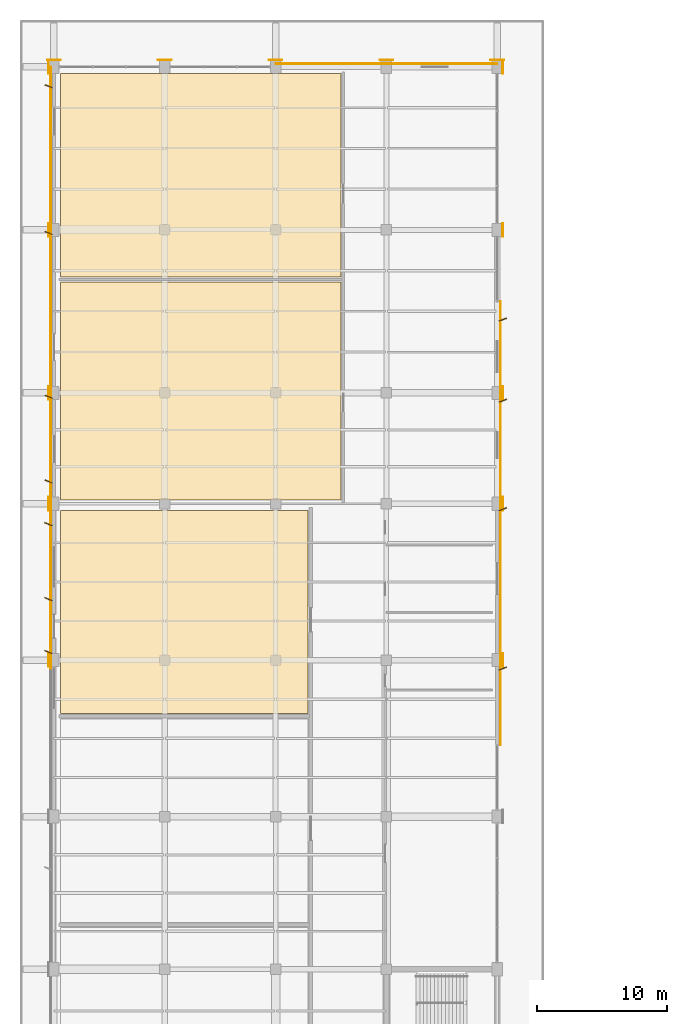
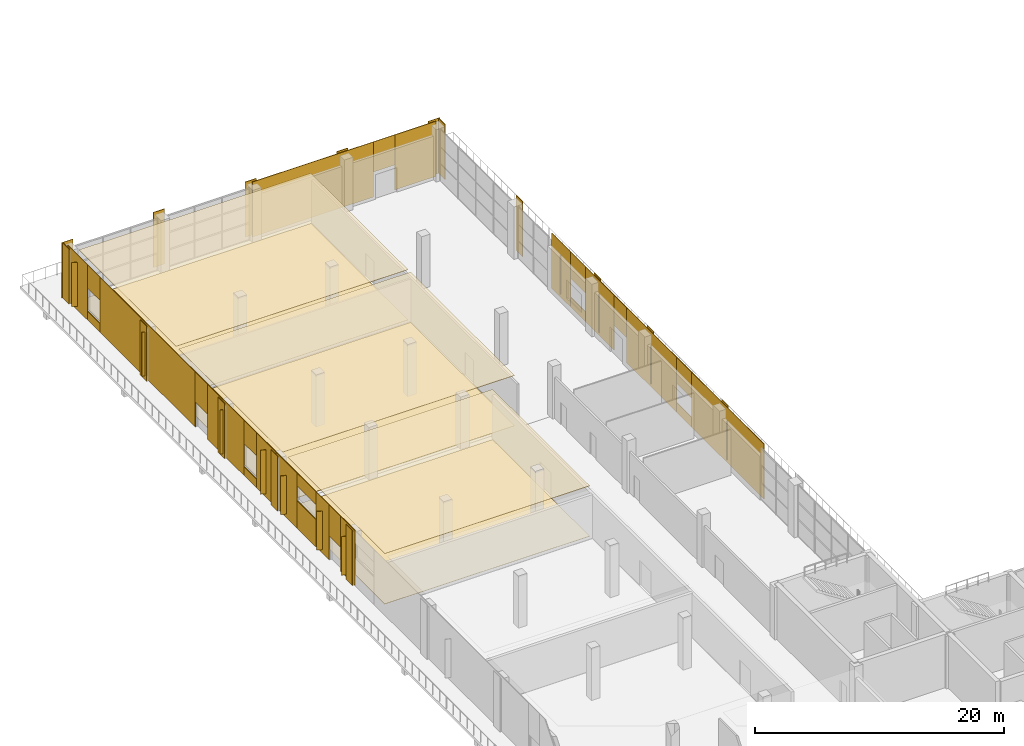
# One storey, part 83 of 90: 59 coverings.
"""IFC4 building model written with IfcOpenShell, lengths in metres."""

from ifc_helpers import new_model, si_unit, direction, frame, origin, origin_2d, place, context, subcontext, project, spatial, polyline, rectangle, outline, extrude, material, layer, layer_set, type_object, element, save


model = new_model("IFC4")

# Units and contexts
model_context = context("Model", 3, precision=1e-05, world=origin(), true_north=direction((0.0, 1.0)))
body_context = subcontext(model_context, "Body", "Model", "MODEL_VIEW")
ifc_project = project(units=[si_unit("LENGTHUNIT", "METRE"), si_unit("AREAUNIT", "SQUARE_METRE"), si_unit("VOLUMEUNIT", "CUBIC_METRE"), si_unit("PLANEANGLEUNIT", "RADIAN"), si_unit("MASSUNIT", "GRAM", prefix="KILO")], contexts=[model_context])

# Site, building, storey
site_placement = place(None, origin())
site = spatial("IfcSite", under=ifc_project, at=site_placement, CompositionType="ELEMENT")
building_placement = place(site_placement, origin())
building = spatial("IfcBuilding", under=site, at=building_placement, Name="Solvikara Media Centre", CompositionType="ELEMENT")
storey_placement = place(building_placement, origin())
storey = spatial("IfcBuildingStorey", under=building, at=storey_placement, Name="L00", CompositionType="ELEMENT", Elevation=0.0)

# Coverings
ifc_material_1 = material(Name="Perforated acoustic gypsum ceiling board")
ifc_layer_1 = layer(ifc_material_1, 0.0400390625)
ifc_layer_set_1 = layer_set([ifc_layer_1], Name="Perforated acoustic gypsum ceiling board")
covering_type_1 = type_object("IfcCoveringType", Name="CV-01", PredefinedType="CEILING", material=ifc_layer_set_1)
covering_1_placement = place(storey_placement, frame((0.0, 0.0, 4.929931640625)))
element("IfcCovering", 1, at=covering_1_placement, inside=storey, type_object=covering_type_1, Name="CLG-006", PredefinedType="CEILING", context=body_context, shape_type="SweptSolid", body=[
    extrude(outline(polyline([(0.5, 64.39990234375), (19.5, 64.39990234375), (19.5, 80.0), (0.5, 80.0), (0.5, 64.39990234375)])), origin(), (0.0, 0.0, 1.0), 0.0400390625),
])
covering_2_placement = place(storey_placement, frame((0.0, 0.0, 4.929931640625)))
element("IfcCovering", 2, at=covering_2_placement, inside=storey, type_object=covering_type_1, Name="CLG-007", PredefinedType="CEILING", context=body_context, shape_type="SweptSolid", body=[
    extrude(outline(polyline([(0.5, 80.800048828125), (22.0, 80.800048828125), (22.0, 97.5), (0.5, 97.5), (0.5, 80.800048828125)])), origin(), (0.0, 0.0, 1.0), 0.0400390625),
])
covering_3_placement = place(storey_placement, frame((0.0, 0.0, 4.929931640625)))
element("IfcCovering", 3, at=covering_3_placement, inside=storey, type_object=covering_type_1, Name="CLG-008", PredefinedType="CEILING", context=body_context, shape_type="SweptSolid", body=[
    extrude(outline(polyline([(0.5, 97.89990234375), (22.0, 97.89990234375), (22.0, 113.5), (0.5, 113.5), (0.5, 97.89990234375)])), origin(), (0.0, 0.0, 1.0), 0.0400390625),
])
ifc_material_2 = material(Name="Polished terrazzo floor finish")
ifc_layer_2 = layer(ifc_material_2, 0.030029296875)
ifc_layer_set_2 = layer_set([ifc_layer_2], Name="Polished terrazzo floor finish")
covering_type_2 = type_object("IfcCoveringType", Name="CV-02", PredefinedType="FLOORING", material=ifc_layer_set_2)
covering_4_placement = place(storey_placement, origin())
element("IfcCovering", 4, at=covering_4_placement, inside=storey, type_object=covering_type_2, Name="FLR-006", PredefinedType="FLOORING", context=body_context, shape_type="SweptSolid", body=[
    extrude(outline(polyline([(0.5, 64.39990234375), (19.5, 64.39990234375), (19.5, 80.0), (0.5, 80.0), (0.5, 64.39990234375)])), origin(), (0.0, 0.0, 1.0), 0.030029296875),
])
covering_5_placement = place(storey_placement, origin())
element("IfcCovering", 5, at=covering_5_placement, inside=storey, type_object=covering_type_2, Name="FLR-007", PredefinedType="FLOORING", context=body_context, shape_type="SweptSolid", body=[
    extrude(outline(polyline([(0.5, 80.800048828125), (22.0, 80.800048828125), (22.0, 97.5), (0.5, 97.5), (0.5, 80.800048828125)])), origin(), (0.0, 0.0, 1.0), 0.030029296875),
])
covering_6_placement = place(storey_placement, origin())
element("IfcCovering", 6, at=covering_6_placement, inside=storey, type_object=covering_type_2, Name="FLR-008", PredefinedType="FLOORING", context=body_context, shape_type="SweptSolid", body=[
    extrude(outline(polyline([(0.5, 97.89990234375), (22.0, 97.89990234375), (22.0, 113.5), (0.5, 113.5), (0.5, 97.89990234375)])), origin(), (0.0, 0.0, 1.0), 0.030029296875),
])
ifc_material_3 = material(Name="GFRC white mineral architectural rainscreen panel")
ifc_layer_3 = layer(ifc_material_3, 0.050048828125)
ifc_layer_set_3 = layer_set([ifc_layer_3], Name="GFRC white mineral architectural rainscreen panel")
covering_type_3 = type_object("IfcCoveringType", Name="CV-04", PredefinedType="CLADDING", material=ifc_layer_set_3)
for number, where, z_axis, x_axis, name in (
    (7, (-0.425048828125, 68.5, 0.0), (0.0, 0.0, 1.0), (0.0, -1.0, 0.0), "PIL-L00-025"),
    (8, (-0.425048828125, 80.5, 0.0), (0.0, 0.0, 1.0), (0.0, -1.0, 0.0), "PIL-L00-029"),
    (9, (-0.425048828125, 89.0, 0.0), (0.0, 0.0, 1.0), (0.0, -1.0, 0.0), "PIL-L00-033"),
    (10, (-0.425048828125, 101.5, 0.0), (0.0, 0.0, 1.0), (0.0, -1.0, 0.0), "PIL-L00-036"),
    (11, (-0.425048828125, 114.0, 0.0), (0.0, 0.0, 1.0), (0.0, -1.0, 0.0), "PIL-L00-040"),
    (12, (0.0, 114.52490234375, 0.0), (0.0, 0.0, 1.0), (-1.0, 0.0, 0.0), "PIL-L00-041"),
    (13, (8.5, 114.52490234375, 0.0), (0.0, 0.0, 1.0), (-1.0, 0.0, 0.0), "PIL-L00-051"),
    (14, (17.0, 114.52490234375, 0.0), (0.0, 0.0, 1.0), (-1.0, 0.0, 0.0), "PIL-L00-058"),
    (15, (25.5, 114.52490234375, 0.0), (0.0, 0.0, 1.0), (-1.0, 0.0, 0.0), "PIL-L00-065"),
    (16, (34.425048828125, 68.5, 0.0), (0.0, 0.0, 1.0), (0.0, 1.0, 0.0), "PIL-L00-073"),
    (17, (34.425048828125, 80.5, 0.0), (0.0, 0.0, 1.0), (0.0, 1.0, 0.0), "PIL-L00-077"),
    (18, (34.425048828125, 89.0, 0.0), (0.0, 0.0, 1.0), (0.0, 1.0, 0.0), "PIL-L00-081"),
    (19, (34.425048828125, 101.5, 0.0), (0.0, 0.0, 1.0), (0.0, 1.0, 0.0), "PIL-L00-084"),
    (20, (34.425048828125, 114.0, 0.0), (0.0, 0.0, 1.0), (0.0, 1.0, 0.0), "PIL-L00-088"),
    (21, (34.0, 114.52490234375, 0.0), (0.0, 0.0, 1.0), (-1.0, 0.0, 0.0), "PIL-L00-089"),
):
    element("IfcCovering", number, at=place(storey_placement, frame(where, z_axis=z_axis, x_axis=x_axis)), inside=storey, type_object=covering_type_3, Name=name, PredefinedType="CLADDING", context=body_context, shape_type="SweptSolid", body=[
        extrude(rectangle(XDim=1.0400390625, YDim=0.050048828125, at=origin_2d()), origin(), (0.0, 0.0, 1.0), 5.39990234375),
    ])
covering_7_placement = place(storey_placement, frame((-0.2451171875, 69.014892578125, 0.0), z_axis=(0.0, 0.0, 1.0), x_axis=(0.0, 1.0, 0.0)))
element("IfcCovering", 22, at=covering_7_placement, inside=storey, type_object=covering_type_3, Name="L00-V4W-CV-F05", PredefinedType="CLADDING", context=body_context, shape_type="SweptSolid", body=[
    extrude(rectangle(XDim=2.3701171875, YDim=0.050048828125, at=origin_2d()), origin(), (0.0, 0.0, 1.0), 5.39990234375),
])
covering_8_placement = place(storey_placement, frame((-0.425048828125, 69.125, 0.35009765625), z_axis=(0.0, 0.0, 1.0), x_axis=(-0.930749810713, 0.3656566557, 0.0)))
element("IfcCovering", 23, at=covering_8_placement, inside=storey, type_object=covering_type_3, Name="L00-V4W-FIN-05", PredefinedType="CLADDING", context=body_context, shape_type="SweptSolid", body=[
    extrude(rectangle(XDim=0.60205078125, YDim=0.050048828125, at=origin_2d()), origin(), (0.0, 0.0, 1.0), 3.780029296875),
])
covering_9_placement = place(storey_placement, frame((-0.2451171875, 71.10009765625, 2.35009765625), z_axis=(0.0, 0.0, 1.0), x_axis=(0.0, 1.0, 0.0)))
element("IfcCovering", 24, at=covering_9_placement, inside=storey, type_object=covering_type_3, Name="L00-V4W-CV-D06", PredefinedType="CLADDING", context=body_context, shape_type="SweptSolid", body=[
    extrude(rectangle(XDim=1.800048828125, YDim=0.050048828125, at=origin_2d()), origin(), (0.0, 0.0, 1.0), 3.050048828125),
])
covering_10_placement = place(storey_placement, frame((-0.2451171875, 73.074951171875, 0.0), z_axis=(0.0, 0.0, 1.0), x_axis=(0.0, 1.0, 0.0)))
element("IfcCovering", 25, at=covering_10_placement, inside=storey, type_object=covering_type_3, Name="L00-V4W-CV-F07", PredefinedType="CLADDING", context=body_context, shape_type="SweptSolid", body=[
    extrude(rectangle(XDim=2.14990234375, YDim=0.050048828125, at=origin_2d()), origin(), (0.0, 0.0, 1.0), 5.39990234375),
])
covering_11_placement = place(storey_placement, frame((-0.425048828125, 73.18505859375, 0.35009765625), z_axis=(0.0, 0.0, 1.0), x_axis=(-0.930749810713, 0.3656566557, 0.0)))
element("IfcCovering", 26, at=covering_11_placement, inside=storey, type_object=covering_type_3, Name="L00-V4W-FIN-07", PredefinedType="CLADDING", context=body_context, shape_type="SweptSolid", body=[
    extrude(rectangle(XDim=0.60205078125, YDim=0.050048828125, at=origin_2d()), origin(), (0.0, 0.0, 1.0), 3.780029296875),
])
covering_12_placement = place(storey_placement, frame((-0.2451171875, 75.64990234375, 0.0), z_axis=(0.0, 0.0, 1.0), x_axis=(0.0, 1.0, 0.0)))
element("IfcCovering", 27, at=covering_12_placement, inside=storey, type_object=covering_type_3, Name="L00-V4W-CV-S08", PredefinedType="CLADDING", context=body_context, shape_type="SweptSolid", body=[
    extrude(rectangle(XDim=3.0, YDim=0.050048828125, at=origin_2d()), origin(), (0.0, 0.0, 1.0), 2.68994140625),
])
covering_13_placement = place(storey_placement, frame((-0.2451171875, 75.64990234375, 4.14990234375), z_axis=(0.0, 0.0, 1.0), x_axis=(0.0, 1.0, 0.0)))
element("IfcCovering", 28, at=covering_13_placement, inside=storey, type_object=covering_type_3, Name="L00-V4W-CV-H08", PredefinedType="CLADDING", context=body_context, shape_type="SweptSolid", body=[
    extrude(rectangle(XDim=3.0, YDim=0.050048828125, at=origin_2d()), origin(), (0.0, 0.0, 1.0), 1.25),
])
covering_14_placement = place(storey_placement, frame((-0.2451171875, 78.824951171875, 0.0), z_axis=(0.0, 0.0, 1.0), x_axis=(0.0, 1.0, 0.0)))
element("IfcCovering", 29, at=covering_14_placement, inside=storey, type_object=covering_type_3, Name="L00-V4W-CV-F09", PredefinedType="CLADDING", context=body_context, shape_type="SweptSolid", body=[
    extrude(rectangle(XDim=3.35009765625, YDim=0.050048828125, at=origin_2d()), origin(), (0.0, 0.0, 1.0), 5.39990234375),
])
covering_15_placement = place(storey_placement, frame((-0.425048828125, 78.93505859375, 0.35009765625), z_axis=(0.0, 0.0, 1.0), x_axis=(-0.930749810713, 0.3656566557, 0.0)))
element("IfcCovering", 30, at=covering_15_placement, inside=storey, type_object=covering_type_3, Name="L00-V4W-FIN-09", PredefinedType="CLADDING", context=body_context, shape_type="SweptSolid", body=[
    extrude(rectangle(XDim=0.60205078125, YDim=0.050048828125, at=origin_2d()), origin(), (0.0, 0.0, 1.0), 3.780029296875),
])
covering_16_placement = place(storey_placement, frame((-0.2451171875, 82.093994140625, 0.0), z_axis=(0.0, 0.0, 1.0), x_axis=(0.0, 1.0, 0.0)))
element("IfcCovering", 31, at=covering_16_placement, inside=storey, type_object=covering_type_3, Name="L00-V3W-CV-F01", PredefinedType="CLADDING", context=body_context, shape_type="SweptSolid", body=[
    extrude(rectangle(XDim=3.18798828125, YDim=0.050048828125, at=origin_2d()), origin(), (0.0, 0.0, 1.0), 5.39990234375),
])
covering_17_placement = place(storey_placement, frame((-0.39990234375, 82.2041015625, 0.349853515625), z_axis=(0.0, 0.0, 1.0), x_axis=(-0.930749810713, 0.3656566557, 0.0)))
element("IfcCovering", 32, at=covering_17_placement, inside=storey, type_object=covering_type_3, Name="L00-V3W-FIN-01", PredefinedType="CLADDING", context=body_context, shape_type="SweptSolid", body=[
    extrude(rectangle(XDim=0.60205078125, YDim=0.050048828125, at=origin_2d()), origin(), (0.0, 0.0, 1.0), 4.30810546875),
])
covering_18_placement = place(storey_placement, frame((-0.2451171875, 84.68798828125, 0.0), z_axis=(0.0, 0.0, 1.0), x_axis=(0.0, 1.0, 0.0)))
element("IfcCovering", 33, at=covering_18_placement, inside=storey, type_object=covering_type_3, Name="L00-V3W-CV-S02", PredefinedType="CLADDING", context=body_context, shape_type="SweptSolid", body=[
    extrude(rectangle(XDim=2.0, YDim=0.050048828125, at=origin_2d()), origin(), (0.0, 0.0, 1.0), 0.8701171875),
])
covering_19_placement = place(storey_placement, frame((-0.2451171875, 84.68798828125, 3.1298828125), z_axis=(0.0, 0.0, 1.0), x_axis=(0.0, 1.0, 0.0)))
element("IfcCovering", 34, at=covering_19_placement, inside=storey, type_object=covering_type_3, Name="L00-V3W-CV-H02", PredefinedType="CLADDING", context=body_context, shape_type="SweptSolid", body=[
    extrude(rectangle(XDim=2.0, YDim=0.050048828125, at=origin_2d()), origin(), (0.0, 0.0, 1.0), 2.27001953125),
])
covering_20_placement = place(storey_placement, frame((-0.2451171875, 88.593994140625, 0.0), z_axis=(0.0, 0.0, 1.0), x_axis=(0.0, 1.0, 0.0)))
element("IfcCovering", 35, at=covering_20_placement, inside=storey, type_object=covering_type_3, Name="L00-V3W-CV-F03", PredefinedType="CLADDING", context=body_context, shape_type="SweptSolid", body=[
    extrude(rectangle(XDim=5.81201171875, YDim=0.050048828125, at=origin_2d()), origin(), (0.0, 0.0, 1.0), 5.39990234375),
])
covering_21_placement = place(storey_placement, frame((-0.39990234375, 88.7041015625, 0.349853515625), z_axis=(0.0, 0.0, 1.0), x_axis=(-0.930749810713, 0.3656566557, 0.0)))
element("IfcCovering", 36, at=covering_21_placement, inside=storey, type_object=covering_type_3, Name="L00-V3W-FIN-03", PredefinedType="CLADDING", context=body_context, shape_type="SweptSolid", body=[
    extrude(rectangle(XDim=0.60205078125, YDim=0.050048828125, at=origin_2d()), origin(), (0.0, 0.0, 1.0), 4.30810546875),
])
covering_22_placement = place(storey_placement, frame((-0.2451171875, 92.5, 2.4501953125), z_axis=(0.0, 0.0, 1.0), x_axis=(0.0, 1.0, 0.0)))
element("IfcCovering", 37, at=covering_22_placement, inside=storey, type_object=covering_type_3, Name="L00-V3W-CV-D04", PredefinedType="CLADDING", context=body_context, shape_type="SweptSolid", body=[
    extrude(rectangle(XDim=2.0, YDim=0.050048828125, at=origin_2d()), origin(), (0.0, 0.0, 1.0), 2.949951171875),
])
covering_23_placement = place(storey_placement, frame((-0.2451171875, 101.156005859375, 0.0), z_axis=(0.0, 0.0, 1.0), x_axis=(0.0, 1.0, 0.0)))
element("IfcCovering", 38, at=covering_23_placement, inside=storey, type_object=covering_type_3, Name="L00-V3W-CV-F05", PredefinedType="CLADDING", context=body_context, shape_type="SweptSolid", body=[
    extrude(rectangle(XDim=15.31201171875, YDim=0.050048828125, at=origin_2d()), origin(), (0.0, 0.0, 1.0), 5.39990234375),
])
covering_24_placement = place(storey_placement, frame((-0.39990234375, 101.26611328125, 0.349853515625), z_axis=(0.0, 0.0, 1.0), x_axis=(-0.930749810713, 0.3656566557, 0.0)))
element("IfcCovering", 39, at=covering_24_placement, inside=storey, type_object=covering_type_3, Name="L00-V3W-FIN-05", PredefinedType="CLADDING", context=body_context, shape_type="SweptSolid", body=[
    extrude(rectangle(XDim=0.60205078125, YDim=0.050048828125, at=origin_2d()), origin(), (0.0, 0.0, 1.0), 4.30810546875),
])
covering_25_placement = place(storey_placement, frame((-0.2451171875, 109.81201171875, 0.0), z_axis=(0.0, 0.0, 1.0), x_axis=(0.0, 1.0, 0.0)))
element("IfcCovering", 40, at=covering_25_placement, inside=storey, type_object=covering_type_3, Name="L00-V3W-CV-S06", PredefinedType="CLADDING", context=body_context, shape_type="SweptSolid", body=[
    extrude(rectangle(XDim=2.0, YDim=0.050048828125, at=origin_2d()), origin(), (0.0, 0.0, 1.0), 0.8701171875),
])
covering_26_placement = place(storey_placement, frame((-0.2451171875, 109.81201171875, 3.1298828125), z_axis=(0.0, 0.0, 1.0), x_axis=(0.0, 1.0, 0.0)))
element("IfcCovering", 41, at=covering_26_placement, inside=storey, type_object=covering_type_3, Name="L00-V3W-CV-H06", PredefinedType="CLADDING", context=body_context, shape_type="SweptSolid", body=[
    extrude(rectangle(XDim=2.0, YDim=0.050048828125, at=origin_2d()), origin(), (0.0, 0.0, 1.0), 2.27001953125),
])
covering_27_placement = place(storey_placement, frame((-0.2451171875, 112.406005859375, 0.0), z_axis=(0.0, 0.0, 1.0), x_axis=(0.0, 1.0, 0.0)))
element("IfcCovering", 42, at=covering_27_placement, inside=storey, type_object=covering_type_3, Name="L00-V3W-CV-F07", PredefinedType="CLADDING", context=body_context, shape_type="SweptSolid", body=[
    extrude(rectangle(XDim=3.18798828125, YDim=0.050048828125, at=origin_2d()), origin(), (0.0, 0.0, 1.0), 5.39990234375),
])
covering_28_placement = place(storey_placement, frame((-0.39990234375, 112.51611328125, 0.349853515625), z_axis=(0.0, 0.0, 1.0), x_axis=(-0.930749810713, 0.3656566557, 0.0)))
element("IfcCovering", 43, at=covering_28_placement, inside=storey, type_object=covering_type_3, Name="L00-V3W-FIN-07", PredefinedType="CLADDING", context=body_context, shape_type="SweptSolid", body=[
    extrude(rectangle(XDim=0.60205078125, YDim=0.050048828125, at=origin_2d()), origin(), (0.0, 0.0, 1.0), 4.30810546875),
])
covering_29_placement = place(storey_placement, frame((22.60009765625, 114.2451171875, 0.0), z_axis=(0.0, 0.0, 1.0), x_axis=(1.0, 0.0, 0.0)))
element("IfcCovering", 44, at=covering_29_placement, inside=storey, type_object=covering_type_3, Name="L00-V3N-CV-F01", PredefinedType="CLADDING", context=body_context, shape_type="SweptSolid", body=[
    extrude(rectangle(XDim=11.199951171875, YDim=0.050048828125, at=origin_2d()), origin(), (0.0, 0.0, 1.0), 5.39990234375),
])
covering_30_placement = place(storey_placement, frame((29.199951171875, 114.2451171875, 2.4501953125), z_axis=(0.0, 0.0, 1.0), x_axis=(1.0, 0.0, 0.0)))
element("IfcCovering", 45, at=covering_30_placement, inside=storey, type_object=covering_type_3, Name="L00-V3N-CV-D02", PredefinedType="CLADDING", context=body_context, shape_type="SweptSolid", body=[
    extrude(rectangle(XDim=2.0, YDim=0.050048828125, at=origin_2d()), origin(), (0.0, 0.0, 1.0), 2.949951171875),
])
covering_31_placement = place(storey_placement, frame((32.10009765625, 114.2451171875, 0.0), z_axis=(0.0, 0.0, 1.0), x_axis=(1.0, 0.0, 0.0)))
element("IfcCovering", 46, at=covering_31_placement, inside=storey, type_object=covering_type_3, Name="L00-V3N-CV-F03", PredefinedType="CLADDING", context=body_context, shape_type="SweptSolid", body=[
    extrude(rectangle(XDim=3.800048828125, YDim=0.050048828125, at=origin_2d()), origin(), (0.0, 0.0, 1.0), 5.39990234375),
])
covering_32_placement = place(storey_placement, frame((34.2451171875, 67.75, 0.0), z_axis=(0.0, 0.0, 1.0), x_axis=(0.0, 1.0, 0.0)))
element("IfcCovering", 47, at=covering_32_placement, inside=storey, type_object=covering_type_3, Name="L00-V43E-CV-F01", PredefinedType="CLADDING", context=body_context, shape_type="SweptSolid", body=[
    extrude(rectangle(XDim=11.580078125, YDim=0.050048828125, at=origin_2d()), origin(), (0.0, 0.0, 1.0), 5.39990234375),
])
covering_33_placement = place(storey_placement, frame((34.425048828125, 67.860107421875, 0.35009765625), z_axis=(0.0, 0.0, 1.0), x_axis=(0.930749810713, 0.3656566557, 0.0)))
element("IfcCovering", 48, at=covering_33_placement, inside=storey, type_object=covering_type_3, Name="L00-V43E-FIN-01", PredefinedType="CLADDING", context=body_context, shape_type="SweptSolid", body=[
    extrude(rectangle(XDim=0.60205078125, YDim=0.050048828125, at=origin_2d()), origin(), (0.0, 0.0, 1.0), 3.780029296875),
])
covering_34_placement = place(storey_placement, frame((34.2451171875, 74.739990234375, 0.0), z_axis=(0.0, 0.0, 1.0), x_axis=(0.0, 1.0, 0.0)))
element("IfcCovering", 49, at=covering_34_placement, inside=storey, type_object=covering_type_3, Name="L00-V43E-CV-S02", PredefinedType="CLADDING", context=body_context, shape_type="SweptSolid", body=[
    extrude(rectangle(XDim=2.39990234375, YDim=0.050048828125, at=origin_2d()), origin(), (0.0, 0.0, 1.0), 0.969970703125),
])
covering_35_placement = place(storey_placement, frame((34.2451171875, 74.739990234375, 2.830078125), z_axis=(0.0, 0.0, 1.0), x_axis=(0.0, 1.0, 0.0)))
element("IfcCovering", 50, at=covering_35_placement, inside=storey, type_object=covering_type_3, Name="L00-V43E-CV-H02", PredefinedType="CLADDING", context=body_context, shape_type="SweptSolid", body=[
    extrude(rectangle(XDim=2.39990234375, YDim=0.050048828125, at=origin_2d()), origin(), (0.0, 0.0, 1.0), 2.570068359375),
])
covering_36_placement = place(storey_placement, frame((34.2451171875, 79.969970703125, 0.0), z_axis=(0.0, 0.0, 1.0), x_axis=(0.0, 1.0, 0.0)))
element("IfcCovering", 51, at=covering_36_placement, inside=storey, type_object=covering_type_3, Name="L00-V43E-CV-F03", PredefinedType="CLADDING", context=body_context, shape_type="SweptSolid", body=[
    extrude(rectangle(XDim=8.06005859375, YDim=0.050048828125, at=origin_2d()), origin(), (0.0, 0.0, 1.0), 5.39990234375),
])
covering_37_placement = place(storey_placement, frame((34.425048828125, 80.080078125, 0.35009765625), z_axis=(0.0, 0.0, 1.0), x_axis=(0.930749810713, 0.3656566557, 0.0)))
element("IfcCovering", 52, at=covering_37_placement, inside=storey, type_object=covering_type_3, Name="L00-V43E-FIN-03", PredefinedType="CLADDING", context=body_context, shape_type="SweptSolid", body=[
    extrude(rectangle(XDim=0.60205078125, YDim=0.050048828125, at=origin_2d()), origin(), (0.0, 0.0, 1.0), 3.780029296875),
])
covering_38_placement = place(storey_placement, frame((34.2451171875, 85.0, 2.4501953125), z_axis=(0.0, 0.0, 1.0), x_axis=(0.0, 1.0, 0.0)))
element("IfcCovering", 53, at=covering_38_placement, inside=storey, type_object=covering_type_3, Name="L00-V43E-CV-D04", PredefinedType="CLADDING", context=body_context, shape_type="SweptSolid", body=[
    extrude(rectangle(XDim=2.0, YDim=0.050048828125, at=origin_2d()), origin(), (0.0, 0.0, 1.0), 2.949951171875),
])
covering_39_placement = place(storey_placement, frame((34.2451171875, 88.2900390625, 0.0), z_axis=(0.0, 0.0, 1.0), x_axis=(0.0, 1.0, 0.0)))
element("IfcCovering", 54, at=covering_39_placement, inside=storey, type_object=covering_type_3, Name="L00-V43E-CV-F05", PredefinedType="CLADDING", context=body_context, shape_type="SweptSolid", body=[
    extrude(rectangle(XDim=4.580078125, YDim=0.050048828125, at=origin_2d()), origin(), (0.0, 0.0, 1.0), 5.39990234375),
])
covering_40_placement = place(storey_placement, frame((34.425048828125, 88.39990234375, 0.35009765625), z_axis=(0.0, 0.0, 1.0), x_axis=(0.930749810713, 0.3656566557, 0.0)))
element("IfcCovering", 55, at=covering_40_placement, inside=storey, type_object=covering_type_3, Name="L00-V43E-FIN-05", PredefinedType="CLADDING", context=body_context, shape_type="SweptSolid", body=[
    extrude(rectangle(XDim=0.60205078125, YDim=0.050048828125, at=origin_2d()), origin(), (0.0, 0.0, 1.0), 3.780029296875),
])
covering_41_placement = place(storey_placement, frame((34.2451171875, 91.780029296875, 0.0), z_axis=(0.0, 0.0, 1.0), x_axis=(0.0, 1.0, 0.0)))
element("IfcCovering", 56, at=covering_41_placement, inside=storey, type_object=covering_type_3, Name="L00-V43E-CV-S06", PredefinedType="CLADDING", context=body_context, shape_type="SweptSolid", body=[
    extrude(rectangle(XDim=2.39990234375, YDim=0.050048828125, at=origin_2d()), origin(), (0.0, 0.0, 1.0), 0.969970703125),
])
covering_42_placement = place(storey_placement, frame((34.2451171875, 91.780029296875, 2.830078125), z_axis=(0.0, 0.0, 1.0), x_axis=(0.0, 1.0, 0.0)))
element("IfcCovering", 57, at=covering_42_placement, inside=storey, type_object=covering_type_3, Name="L00-V43E-CV-H06", PredefinedType="CLADDING", context=body_context, shape_type="SweptSolid", body=[
    extrude(rectangle(XDim=2.39990234375, YDim=0.050048828125, at=origin_2d()), origin(), (0.0, 0.0, 1.0), 2.570068359375),
])
covering_43_placement = place(storey_placement, frame((34.2451171875, 94.510009765625, 0.0), z_axis=(0.0, 0.0, 1.0), x_axis=(0.0, 1.0, 0.0)))
element("IfcCovering", 58, at=covering_43_placement, inside=storey, type_object=covering_type_3, Name="L00-V43E-CV-F07", PredefinedType="CLADDING", context=body_context, shape_type="SweptSolid", body=[
    extrude(rectangle(XDim=3.06005859375, YDim=0.050048828125, at=origin_2d()), origin(), (0.0, 0.0, 1.0), 5.39990234375),
])
covering_44_placement = place(storey_placement, frame((34.425048828125, 94.6201171875, 0.35009765625), z_axis=(0.0, 0.0, 1.0), x_axis=(0.930749810713, 0.3656566557, 0.0)))
element("IfcCovering", 59, at=covering_44_placement, inside=storey, type_object=covering_type_3, Name="L00-V43E-FIN-07", PredefinedType="CLADDING", context=body_context, shape_type="SweptSolid", body=[
    extrude(rectangle(XDim=0.60205078125, YDim=0.050048828125, at=origin_2d()), origin(), (0.0, 0.0, 1.0), 3.780029296875),
])

save(model, "model.ifc")
